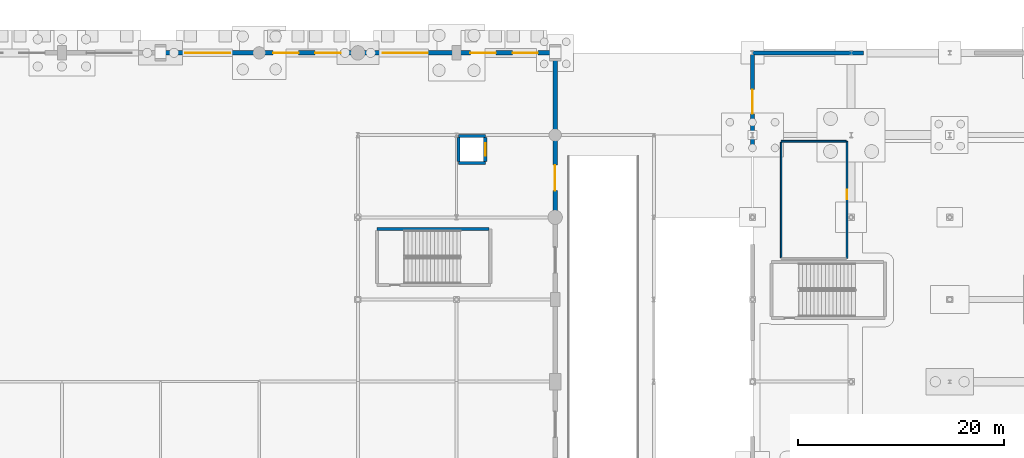
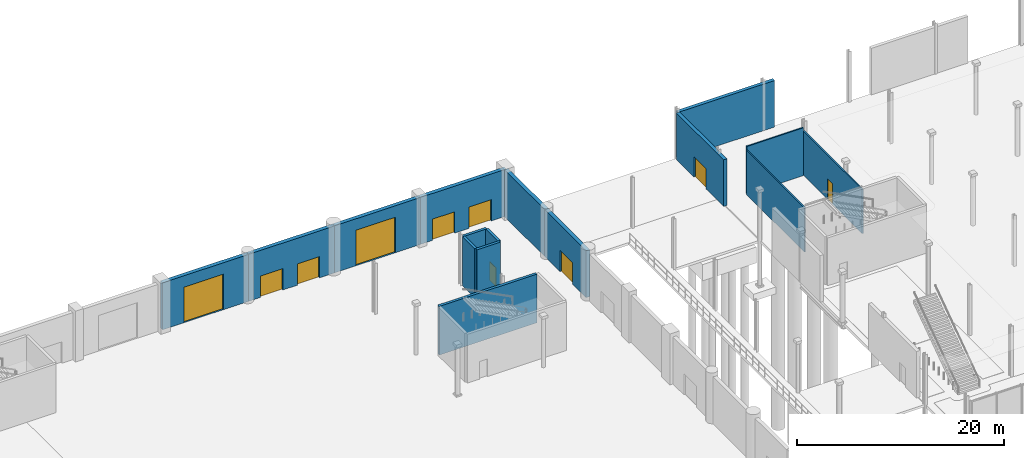
# One storey, part 87 of 124: 16 walls, 10 doors, 10 openings.
"""IFC4 building model written with IfcOpenShell, lengths in metres."""

from ifc_helpers import new_model, si_unit, direction, frame, frame_2d, origin, place, context, subcontext, project, spatial, rectangle, extrude, material, layer, layer_set, type_object, element, fill, save


model = new_model("IFC4")

# Units and contexts
model_context = context("Model", 3, precision=1e-05, world=origin(), true_north=direction((0.0, 1.0)))
body_context = subcontext(model_context, "Body", "Model", "MODEL_VIEW")
ifc_project = project(units=[si_unit("LENGTHUNIT", "METRE"), si_unit("AREAUNIT", "SQUARE_METRE"), si_unit("VOLUMEUNIT", "CUBIC_METRE"), si_unit("PLANEANGLEUNIT", "RADIAN"), si_unit("MASSUNIT", "GRAM", prefix="KILO")], contexts=[model_context])

# Site, building, storey
site_placement = place(None, origin())
site = spatial("IfcSite", under=ifc_project, at=site_placement, CompositionType="ELEMENT")
building_placement = place(site_placement, origin())
building = spatial("IfcBuilding", under=site, at=building_placement, Name="Danafjord Basin Convention Centre", CompositionType="ELEMENT")
storey_placement = place(building_placement, origin())
storey = spatial("IfcBuildingStorey", under=building, at=storey_placement, Name="L00", CompositionType="ELEMENT", Elevation=0.0)

# Walls
ifc_material_1 = material(Name="Concrete C40/50", Category="concrete")
ifc_layer_1 = layer(ifc_material_1, 0.300048828125)
ifc_layer_set_1 = layer_set([ifc_layer_1], Name="Concrete C40/50")
wall_type_1 = type_object("IfcWallType", Name="WALL-CW-CORE300", PredefinedType="SHEAR", material=ifc_layer_set_1)
wall_1_placement = place(storey_placement, frame((97.85009765625, 126.860107421875, 0.0), z_axis=(0.0, 0.0, 1.0), x_axis=(1.0, 0.0, 0.0)))
element("IfcWall", 1, at=wall_1_placement, inside=storey, type_object=wall_type_1, Name="North Exhibition Core Stair 1 core shear wall (north)", PredefinedType="SHEAR", context=body_context, shape_type="SweptSolid", body=[
    extrude(rectangle(XDim=10.90478515625, YDim=0.300048828125, at=frame_2d((5.452392578125, 0.0))), origin(), (0.0, 0.0, 1.0), 5.75),
])
for number, where, z_axis, x_axis, name in (
    (2, (108.39990234375, 135.89990234375, 0.0), (0.0, 0.0, 1.0), (-1.0, 0.0, 0.0), "Lift LF-P04 shaft shear wall"),
    (3, (105.800048828125, 133.300048828125, 0.0), (0.0, 0.0, 1.0), (1.0, 0.0, 0.0), "Lift LF-P04 shaft shear wall"),
):
    element("IfcWall", number, at=place(storey_placement, frame(where, z_axis=z_axis, x_axis=x_axis)), inside=storey, type_object=wall_type_1, Name=name, PredefinedType="SHEAR", context=body_context, shape_type="SweptSolid", body=[
        extrude(rectangle(XDim=2.599853515625, YDim=0.300048828125, at=frame_2d((1.2998046875, 0.0))), origin(), (0.0, 0.0, 1.0), 5.75),
    ])

# Wall, opening, door
wall_2_placement = place(storey_placement, frame((108.39990234375, 133.43505859375, 0.0), z_axis=(0.0, 0.0, 1.0), x_axis=(0.0, 1.0, 0.0)))
wall_2 = element("IfcWall", 4, at=wall_2_placement, inside=storey, type_object=wall_type_1, Name="Lift LF-P04 shaft shear wall", PredefinedType="SHEAR", context=body_context, shape_type="SweptSolid", body=[
    extrude(rectangle(XDim=2.329833984375, YDim=0.300048828125, at=frame_2d((1.1650390625, 0.0))), origin(), (0.0, 0.0, 1.0), 5.75),
])
opening_1_placement = place(wall_2_placement, frame((0.56494140625, 0.0, 0.0)))
opening_1 = element("IfcOpeningElement", 5, at=opening_1_placement, cuts=wall_2, Name="Opening LD-P01", PredefinedType="OPENING", context=body_context, shape_type="SweptSolid", body=[
    extrude(rectangle(XDim=1.199951171875, YDim=2.199951171875, at=frame_2d((0.60009765625, 1.10009765625))), frame((0.0, 0.159912109375, 0.0), z_axis=(0.0, -1.0, 0.0), x_axis=(1.0, 0.0, 0.0)), (0.0, 0.0, 1.0), 0.320068359375),
])
ifc_material_2 = material(Name="Brushed stainless steel and acoustic laminated glass", Category="steel")
door_type_1 = type_object("IfcDoorType", Name="DOOR-LD-P01", OperationType="DOUBLE_DOOR_SLIDING", PredefinedType="DOOR", material=ifc_material_2)
door_1_placement = place(opening_1_placement, origin())
door_1 = element("IfcDoor", 6, at=door_1_placement, inside=storey, type_object=door_type_1, Name="Lift LF-P04 L00 Landing Door", OperationType="DOUBLE_DOOR_SLIDING", OverallHeight=2.199951171875, OverallWidth=1.199951171875, PredefinedType="DOOR", context=body_context, shape_type="SweptSolid", body=[
    extrude(rectangle(XDim=1.199951171875, YDim=2.199951171875, at=frame_2d((0.60009765625, 1.10009765625))), frame((0.0, 0.02490234375, 0.0), z_axis=(0.0, -1.0, 0.0), x_axis=(1.0, 0.0, 0.0)), (0.0, 0.0, 1.0), 0.050048828125),
])
fill(opening_1, door_1)

# Walls
wall_3_placement = place(storey_placement, frame((105.800048828125, 135.764892578125, 0.0), z_axis=(0.0, 0.0, 1.0), x_axis=(0.0, -1.0, 0.0)))
element("IfcWall", 7, at=wall_3_placement, inside=storey, type_object=wall_type_1, Name="Lift LF-P04 shaft shear wall", PredefinedType="SHEAR", context=body_context, shape_type="SweptSolid", body=[
    extrude(rectangle(XDim=2.329833984375, YDim=0.300048828125, at=frame_2d((1.1650390625, 0.0))), origin(), (0.0, 0.0, 1.0), 5.75),
])
ifc_material_3 = material(Name="Precast concrete C45/55", Category="concrete")
ifc_layer_2 = layer(ifc_material_3, 0.3798828125)
ifc_layer_set_2 = layer_set([ifc_layer_2], Name="Precast concrete C45/55")
wall_type_2 = type_object("IfcWallType", Name="WALL-EW-PC380", PredefinedType="SOLIDWALL", material=ifc_layer_set_2)
wall_4_placement = place(storey_placement, frame((145.199951171875, 144.0, 0.0), z_axis=(0.0, 0.0, 1.0), x_axis=(-1.0, 0.0, 0.0)))
element("IfcWall", 8, at=wall_4_placement, inside=storey, type_object=wall_type_2, Name="L00 plenary drum precast facet wall", PredefinedType="SOLIDWALL", context=body_context, shape_type="SweptSolid", body=[
    extrude(rectangle(XDim=10.800048828125, YDim=0.3798828125, at=frame_2d((5.39990234375, 0.0))), origin(), (0.0, 0.0, 1.0), 5.5),
])

# Wall, opening, door
wall_5_placement = place(storey_placement, frame((134.39990234375, 143.824951171875, 0.0), z_axis=(0.0, 0.0, 1.0), x_axis=(0.0, -1.0, 0.0)))
wall_5 = element("IfcWall", 9, at=wall_5_placement, inside=storey, type_object=wall_type_2, Name="L00 plenary drum precast facet wall", PredefinedType="SOLIDWALL", context=body_context, shape_type="SweptSolid", body=[
    extrude(rectangle(XDim=9.157958984375, YDim=0.3798828125, at=frame_2d((4.5791015625, 0.0))), origin(), (0.0, 0.0, 1.0), 5.5),
])
opening_2_placement = place(wall_5_placement, frame((3.408935546875, 0.0, 0.0)))
opening_2 = element("IfcOpeningElement", 10, at=opening_2_placement, cuts=wall_5, Name="Opening ED-01", PredefinedType="OPENING", context=body_context, shape_type="SweptSolid", body=[
    extrude(rectangle(XDim=2.340087890625, YDim=2.419921875, at=frame_2d((1.169921875, 1.2099609375))), frame((0.0, 0.199951171875, 0.0), z_axis=(0.0, -1.0, 0.0), x_axis=(1.0, 0.0, 0.0)), (0.0, 0.0, 1.0), 0.39990234375),
])
ifc_material_4 = material(Name="Thermally broken anodised aluminium and steel", Category="steel")
door_type_2 = type_object("IfcDoorType", Name="DOOR-ED-01", OperationType="DOUBLE_DOOR_SINGLE_SWING", PredefinedType="DOOR", material=ifc_material_4)
door_2_placement = place(opening_2_placement, origin())
door_2 = element("IfcDoor", 11, at=door_2_placement, inside=storey, type_object=door_type_2, Name="Plenary Drum Exit Door", OperationType="DOUBLE_DOOR_SINGLE_SWING", OverallHeight=2.419921875, OverallWidth=2.340087890625, PredefinedType="DOOR", context=body_context, shape_type="SweptSolid", body=[
    extrude(rectangle(XDim=2.340087890625, YDim=2.419921875, at=frame_2d((1.169921875, 1.2099609375))), frame((0.0, 0.02490234375, 0.0), z_axis=(0.0, -1.0, 0.0), x_axis=(1.0, 0.0, 0.0)), (0.0, 0.0, 1.0), 0.050048828125),
])
fill(opening_2, door_2)

ifc_layer_3 = layer(ifc_material_3, 0.419921875)
ifc_layer_set_3 = layer_set([ifc_layer_3], Name="Precast concrete C45/55")
wall_type_3 = type_object("IfcWallType", Name="WALL-EW-PC420", PredefinedType="SOLIDWALL", material=ifc_layer_set_3)
wall_6_placement = place(storey_placement, frame((76.800048828125, 144.0, 0.0), z_axis=(0.0, 0.0, 1.0), x_axis=(1.0, 0.0, 0.0)))
wall_6 = element("IfcWall", 12, at=wall_6_placement, inside=storey, type_object=wall_type_3, Name="Exhibition hall N acoustic precast wall bay 9", PredefinedType="SOLIDWALL", context=body_context, shape_type="SweptSolid", body=[
    extrude(rectangle(XDim=9.599853515625, YDim=0.419921875, at=frame_2d((4.7998046875, 0.0))), origin(), (0.0, 0.0, 1.0), 5.550048828125),
])
opening_3_placement = place(wall_6_placement, frame((2.39990234375, 0.0, 0.0)))
opening_3 = element("IfcOpeningElement", 13, at=opening_3_placement, cuts=wall_6, Name="Opening SH-01", PredefinedType="OPENING", context=body_context, shape_type="SweptSolid", body=[
    extrude(rectangle(XDim=4.39990234375, YDim=4.199951171875, at=frame_2d((2.199951171875, 2.10009765625))), frame((0.0, 0.219970703125, 0.0), z_axis=(0.0, -1.0, 0.0), x_axis=(1.0, 0.0, 0.0)), (0.0, 0.0, 1.0), 0.43994140625),
])
door_type_3 = type_object("IfcDoorType", Name="DOOR-SH-01", OperationType="ROLLINGUP", PredefinedType="TRAPDOOR", material=ifc_material_4)
door_3_placement = place(opening_3_placement, origin())
door_3 = element("IfcDoor", 14, at=door_3_placement, inside=storey, type_object=door_type_3, Name="Exhibition Freight Roller Shutter SH-28", OperationType="ROLLINGUP", OverallHeight=4.199951171875, OverallWidth=4.39990234375, PredefinedType="TRAPDOOR", context=body_context, shape_type="SweptSolid", body=[
    extrude(rectangle(XDim=4.39990234375, YDim=4.199951171875, at=frame_2d((2.199951171875, 2.10009765625))), frame((0.0, 0.02490234375, 0.0), z_axis=(0.0, -1.0, 0.0), x_axis=(1.0, 0.0, 0.0)), (0.0, 0.0, 1.0), 0.050048828125),
])
fill(opening_3, door_3)

# Wall, openings, doors
wall_7_placement = place(storey_placement, frame((86.39990234375, 144.0, 0.0), z_axis=(0.0, 0.0, 1.0), x_axis=(1.0, 0.0, 0.0)))
wall_7 = element("IfcWall", 15, at=wall_7_placement, inside=storey, type_object=wall_type_3, Name="Exhibition hall N acoustic precast wall bay 10", PredefinedType="SOLIDWALL", context=body_context, shape_type="SweptSolid", body=[
    extrude(rectangle(XDim=9.60009765625, YDim=0.419921875, at=frame_2d((4.800048828125, 0.0))), origin(), (0.0, 0.0, 1.0), 5.550048828125),
])
opening_4_placement = place(wall_7_placement, frame((1.35009765625, 0.0, 0.0)))
opening_4 = element("IfcOpeningElement", 16, at=opening_4_placement, cuts=wall_7, Name="Opening ED-02", PredefinedType="OPENING", context=body_context, shape_type="SweptSolid", body=[
    extrude(rectangle(XDim=2.47998046875, YDim=2.52001953125, at=frame_2d((1.239990234375, 1.260009765625))), frame((0.0, 0.219970703125, 0.0), z_axis=(0.0, -1.0, 0.0), x_axis=(1.0, 0.0, 0.0)), (0.0, 0.0, 1.0), 0.43994140625),
])
opening_5_placement = place(wall_7_placement, frame((5.449951171875, 0.0, 0.0)))
opening_5 = element("IfcOpeningElement", 17, at=opening_5_placement, cuts=wall_7, Name="Opening ED-02", PredefinedType="OPENING", context=body_context, shape_type="SweptSolid", body=[
    extrude(rectangle(XDim=2.47998046875, YDim=2.52001953125, at=frame_2d((1.239990234375, 1.260009765625))), frame((0.0, 0.219970703125, 0.0), z_axis=(0.0, -1.0, 0.0), x_axis=(1.0, 0.0, 0.0)), (0.0, 0.0, 1.0), 0.43994140625),
])
door_type_4 = type_object("IfcDoorType", Name="DOOR-ED-02", OperationType="DOUBLE_DOOR_SINGLE_SWING", PredefinedType="DOOR", material=ifc_material_4)
door_4_placement = place(opening_4_placement, origin())
door_4 = element("IfcDoor", 18, at=door_4_placement, inside=storey, type_object=door_type_4, Name="Exhibition Hall Exit Door EX-31", OperationType="DOUBLE_DOOR_SINGLE_SWING", OverallHeight=2.52001953125, OverallWidth=2.47998046875, PredefinedType="DOOR", context=body_context, shape_type="SweptSolid", body=[
    extrude(rectangle(XDim=2.47998046875, YDim=2.52001953125, at=frame_2d((1.239990234375, 1.260009765625))), frame((0.0, 0.02490234375, 0.0), z_axis=(0.0, -1.0, 0.0), x_axis=(1.0, 0.0, 0.0)), (0.0, 0.0, 1.0), 0.050048828125),
])
fill(opening_4, door_4)
door_5_placement = place(opening_5_placement, origin())
door_5 = element("IfcDoor", 19, at=door_5_placement, inside=storey, type_object=door_type_4, Name="Exhibition Hall Exit Door EX-32", OperationType="DOUBLE_DOOR_SINGLE_SWING", OverallHeight=2.52001953125, OverallWidth=2.47998046875, PredefinedType="DOOR", context=body_context, shape_type="SweptSolid", body=[
    extrude(rectangle(XDim=2.47998046875, YDim=2.52001953125, at=frame_2d((1.239990234375, 1.260009765625))), frame((0.0, 0.02490234375, 0.0), z_axis=(0.0, -1.0, 0.0), x_axis=(1.0, 0.0, 0.0)), (0.0, 0.0, 1.0), 0.050048828125),
])
fill(opening_5, door_5)

# Wall, opening, door
wall_8_placement = place(storey_placement, frame((96.0, 144.0, 0.0), z_axis=(0.0, 0.0, 1.0), x_axis=(1.0, 0.0, 0.0)))
wall_8 = element("IfcWall", 20, at=wall_8_placement, inside=storey, type_object=wall_type_3, Name="Exhibition hall N acoustic precast wall bay 11", PredefinedType="SOLIDWALL", context=body_context, shape_type="SweptSolid", body=[
    extrude(rectangle(XDim=9.60009765625, YDim=0.419921875, at=frame_2d((4.800048828125, 0.0))), origin(), (0.0, 0.0, 1.0), 5.550048828125),
])
opening_6_placement = place(wall_8_placement, frame((2.39990234375, 0.0, 0.0)))
opening_6 = element("IfcOpeningElement", 21, at=opening_6_placement, cuts=wall_8, Name="Opening SH-01", PredefinedType="OPENING", context=body_context, shape_type="SweptSolid", body=[
    extrude(rectangle(XDim=4.39990234375, YDim=4.199951171875, at=frame_2d((2.199951171875, 2.10009765625))), frame((0.0, 0.219970703125, 0.0), z_axis=(0.0, -1.0, 0.0), x_axis=(1.0, 0.0, 0.0)), (0.0, 0.0, 1.0), 0.43994140625),
])
door_6_placement = place(opening_6_placement, origin())
door_6 = element("IfcDoor", 22, at=door_6_placement, inside=storey, type_object=door_type_3, Name="Exhibition Freight Roller Shutter SH-33", OperationType="ROLLINGUP", OverallHeight=4.199951171875, OverallWidth=4.39990234375, PredefinedType="TRAPDOOR", context=body_context, shape_type="SweptSolid", body=[
    extrude(rectangle(XDim=4.39990234375, YDim=4.199951171875, at=frame_2d((2.199951171875, 2.10009765625))), frame((0.0, 0.02490234375, 0.0), z_axis=(0.0, -1.0, 0.0), x_axis=(1.0, 0.0, 0.0)), (0.0, 0.0, 1.0), 0.050048828125),
])
fill(opening_6, door_6)

# Wall, openings, doors
wall_9_placement = place(storey_placement, frame((105.60009765625, 144.0, 0.0), z_axis=(0.0, 0.0, 1.0), x_axis=(1.0, 0.0, 0.0)))
wall_9 = element("IfcWall", 23, at=wall_9_placement, inside=storey, type_object=wall_type_3, Name="Exhibition hall N acoustic precast wall bay 12", PredefinedType="SOLIDWALL", context=body_context, shape_type="SweptSolid", body=[
    extrude(rectangle(XDim=9.599853515625, YDim=0.419921875, at=frame_2d((4.7998046875, 0.0))), origin(), (0.0, 0.0, 1.0), 5.550048828125),
])
opening_7_placement = place(wall_9_placement, frame((1.35009765625, 0.0, 0.0)))
opening_7 = element("IfcOpeningElement", 24, at=opening_7_placement, cuts=wall_9, Name="Opening ED-02", PredefinedType="OPENING", context=body_context, shape_type="SweptSolid", body=[
    extrude(rectangle(XDim=2.47998046875, YDim=2.52001953125, at=frame_2d((1.239990234375, 1.260009765625))), frame((0.0, 0.219970703125, 0.0), z_axis=(0.0, -1.0, 0.0), x_axis=(1.0, 0.0, 0.0)), (0.0, 0.0, 1.0), 0.43994140625),
])
opening_8_placement = place(wall_9_placement, frame((5.449951171875, 0.0, 0.0)))
opening_8 = element("IfcOpeningElement", 25, at=opening_8_placement, cuts=wall_9, Name="Opening ED-02", PredefinedType="OPENING", context=body_context, shape_type="SweptSolid", body=[
    extrude(rectangle(XDim=2.47998046875, YDim=2.52001953125, at=frame_2d((1.239990234375, 1.260009765625))), frame((0.0, 0.219970703125, 0.0), z_axis=(0.0, -1.0, 0.0), x_axis=(1.0, 0.0, 0.0)), (0.0, 0.0, 1.0), 0.43994140625),
])
door_7_placement = place(opening_7_placement, origin())
door_7 = element("IfcDoor", 26, at=door_7_placement, inside=storey, type_object=door_type_4, Name="Exhibition Hall Exit Door EX-34", OperationType="DOUBLE_DOOR_SINGLE_SWING", OverallHeight=2.52001953125, OverallWidth=2.47998046875, PredefinedType="DOOR", context=body_context, shape_type="SweptSolid", body=[
    extrude(rectangle(XDim=2.47998046875, YDim=2.52001953125, at=frame_2d((1.239990234375, 1.260009765625))), frame((0.0, 0.02490234375, 0.0), z_axis=(0.0, -1.0, 0.0), x_axis=(1.0, 0.0, 0.0)), (0.0, 0.0, 1.0), 0.050048828125),
])
fill(opening_7, door_7)
door_8_placement = place(opening_8_placement, origin())
door_8 = element("IfcDoor", 27, at=door_8_placement, inside=storey, type_object=door_type_4, Name="Exhibition Hall Exit Door EX-35", OperationType="DOUBLE_DOOR_SINGLE_SWING", OverallHeight=2.52001953125, OverallWidth=2.47998046875, PredefinedType="DOOR", context=body_context, shape_type="SweptSolid", body=[
    extrude(rectangle(XDim=2.47998046875, YDim=2.52001953125, at=frame_2d((1.239990234375, 1.260009765625))), frame((0.0, 0.02490234375, 0.0), z_axis=(0.0, -1.0, 0.0), x_axis=(1.0, 0.0, 0.0)), (0.0, 0.0, 1.0), 0.050048828125),
])
fill(opening_8, door_8)

# Wall, opening, door
wall_10_placement = place(storey_placement, frame((115.199951171875, 128.0, 0.0), z_axis=(0.0, 0.0, 1.0), x_axis=(0.0, 1.0, 0.0)))
wall_10 = element("IfcWall", 28, at=wall_10_placement, inside=storey, type_object=wall_type_3, Name="Exhibition hall E precast wall bay 10", PredefinedType="SOLIDWALL", context=body_context, shape_type="SweptSolid", body=[
    extrude(rectangle(XDim=8.0, YDim=0.419921875, at=frame_2d((4.0, 0.0))), origin(), (0.0, 0.0, 1.0), 5.550048828125),
])
opening_9_placement = place(wall_10_placement, frame((2.60009765625, 0.0, 0.0)))
opening_9 = element("IfcOpeningElement", 29, at=opening_9_placement, cuts=wall_10, Name="Opening ED-02", PredefinedType="OPENING", context=body_context, shape_type="SweptSolid", body=[
    extrude(rectangle(XDim=2.47998046875, YDim=2.52001953125, at=frame_2d((1.239990234375, 1.260009765625))), frame((0.0, 0.219970703125, 0.0), z_axis=(0.0, -1.0, 0.0), x_axis=(1.0, 0.0, 0.0)), (0.0, 0.0, 1.0), 0.43994140625),
])
door_9_placement = place(opening_9_placement, origin())
door_9 = element("IfcDoor", 30, at=door_9_placement, inside=storey, type_object=door_type_4, Name="Exhibition Hall E Exit Door", OperationType="DOUBLE_DOOR_SINGLE_SWING", OverallHeight=2.52001953125, OverallWidth=2.47998046875, PredefinedType="DOOR", context=body_context, shape_type="SweptSolid", body=[
    extrude(rectangle(XDim=2.47998046875, YDim=2.52001953125, at=frame_2d((1.239990234375, 1.260009765625))), frame((0.0, 0.02490234375, 0.0), z_axis=(0.0, -1.0, 0.0), x_axis=(1.0, 0.0, 0.0)), (0.0, 0.0, 1.0), 0.050048828125),
])
fill(opening_9, door_9)

# Wall
wall_11_placement = place(storey_placement, frame((115.199951171875, 136.0, 0.0), z_axis=(0.0, 0.0, 1.0), x_axis=(0.0, 1.0, 0.0)))
element("IfcWall", 31, at=wall_11_placement, inside=storey, type_object=wall_type_3, Name="Exhibition hall E precast wall bay 11", PredefinedType="SOLIDWALL", context=body_context, shape_type="SweptSolid", body=[
    extrude(rectangle(XDim=7.804931640625, YDim=0.419921875, at=frame_2d((3.90234375, 0.0))), origin(), (0.0, 0.0, 1.0), 5.550048828125),
])

# Wall, opening, door
ifc_material_5 = material(Name="Fire-rated gypsum metal-stud partition")
ifc_layer_4 = layer(ifc_material_5, 0.14990234375)
ifc_layer_set_4 = layer_set([ifc_layer_4], Name="Fire-rated gypsum metal-stud partition")
wall_type_4 = type_object("IfcWallType", Name="WALL-PT-ST150", PredefinedType="PARTITIONING", material=ifc_layer_set_4)
wall_12_placement = place(storey_placement, frame((143.60009765625, 124.0, 0.0), z_axis=(0.0, 0.0, 1.0), x_axis=(0.0, 1.0, 0.0)))
wall_12 = element("IfcWall", 32, at=wall_12_placement, inside=storey, type_object=wall_type_4, Name="Speaker Media and Organiser Suite east partition", PredefinedType="PARTITIONING", context=body_context, shape_type="SweptSolid", body=[
    extrude(rectangle(XDim=11.39990234375, YDim=0.14990234375, at=frame_2d((5.699951171875, 0.0))), origin(), (0.0, 0.0, 1.0), 5.219970703125),
])
opening_10_placement = place(wall_12_placement, frame((5.741943359375, 0.0, 0.0)))
opening_10 = element("IfcOpeningElement", 33, at=opening_10_placement, cuts=wall_12, Name="Opening FD-S22", PredefinedType="OPENING", context=body_context, shape_type="SweptSolid", body=[
    extrude(rectangle(XDim=0.9599609375, YDim=2.449951171875, at=frame_2d((0.47998046875, 1.22509765625))), frame((0.0, 0.0849609375, 0.0), z_axis=(0.0, -1.0, 0.0), x_axis=(1.0, 0.0, 0.0)), (0.0, 0.0, 1.0), 0.169921875),
])
ifc_material_6 = material(Name="Powder-coated steel and Nordic oak", Category="steel")
door_type_5 = type_object("IfcDoorType", Name="DOOR-FD-S22", OperationType="NOTDEFINED", PredefinedType="DOOR", material=ifc_material_6)
door_10_placement = place(opening_10_placement, origin())
door_10 = element("IfcDoor", 34, at=door_10_placement, inside=storey, type_object=door_type_5, Name="Speaker Media and Organiser Suite Entrance Door", OperationType="SINGLE_SWING_RIGHT", OverallHeight=2.449951171875, OverallWidth=0.9599609375, PredefinedType="DOOR", context=body_context, shape_type="SweptSolid", body=[
    extrude(rectangle(XDim=0.9599609375, YDim=2.449951171875, at=frame_2d((0.47998046875, 1.22509765625))), frame((0.0, 0.02490234375, 0.0), z_axis=(0.0, -1.0, 0.0), x_axis=(1.0, 0.0, 0.0)), (0.0, 0.0, 1.0), 0.050048828125),
])
fill(opening_10, door_10)

# Walls
wall_13_placement = place(storey_placement, frame((143.52099609375, 135.39990234375, 0.0), z_axis=(0.0, 0.0, 1.0), x_axis=(-1.0, 0.0, 0.0)))
element("IfcWall", 35, at=wall_13_placement, inside=storey, type_object=wall_type_4, Name="Speaker Media and Organiser Suite north partition", PredefinedType="PARTITIONING", context=body_context, shape_type="SweptSolid", body=[
    extrude(rectangle(XDim=6.321044921875, YDim=0.14990234375, at=frame_2d((3.16064453125, 0.0))), origin(), (0.0, 0.0, 1.0), 5.639892578125),
])
wall_14_placement = place(storey_placement, frame((137.199951171875, 135.321044921875, 0.0), z_axis=(0.0, 0.0, 1.0), x_axis=(0.0, -1.0, 0.0)))
element("IfcWall", 36, at=wall_14_placement, inside=storey, type_object=wall_type_4, Name="Speaker Media and Organiser Suite west partition", PredefinedType="PARTITIONING", context=body_context, shape_type="SweptSolid", body=[
    extrude(rectangle(XDim=11.241943359375, YDim=0.14990234375, at=frame_2d((5.62109375, 0.0))), origin(), (0.0, 0.0, 1.0), 5.219970703125),
])

save(model, "model.ifc")
